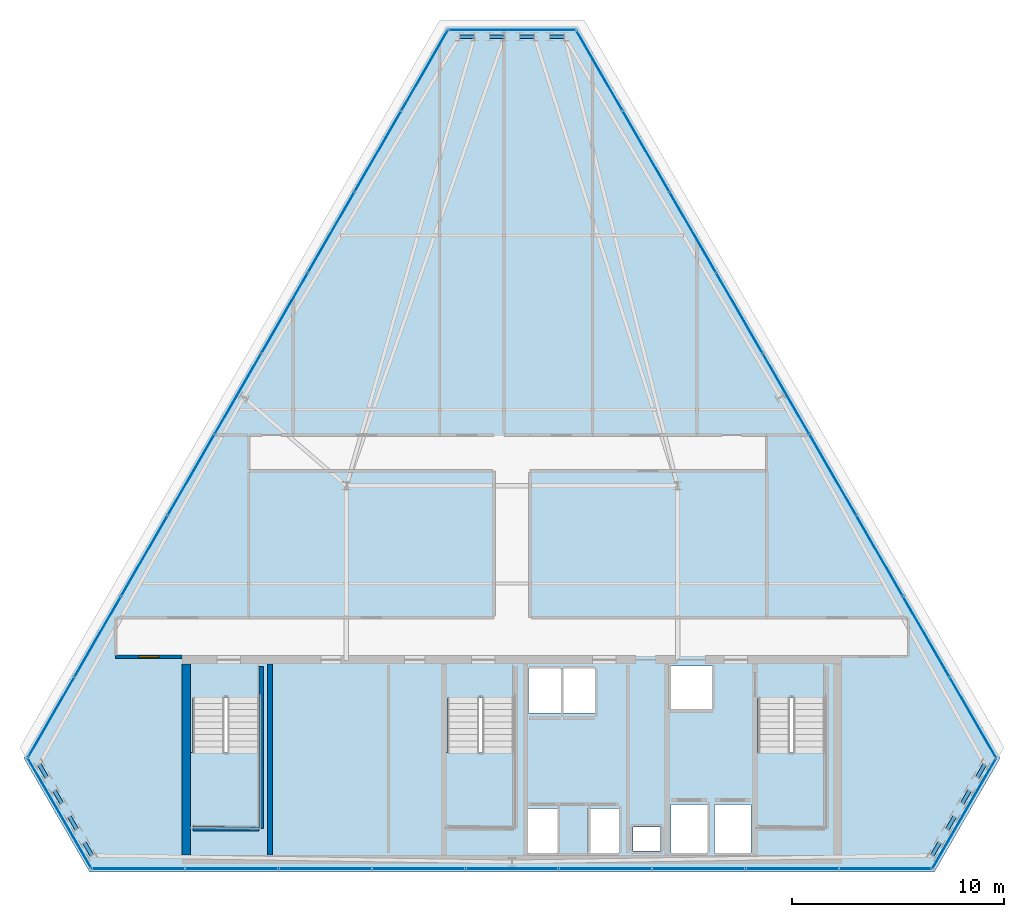
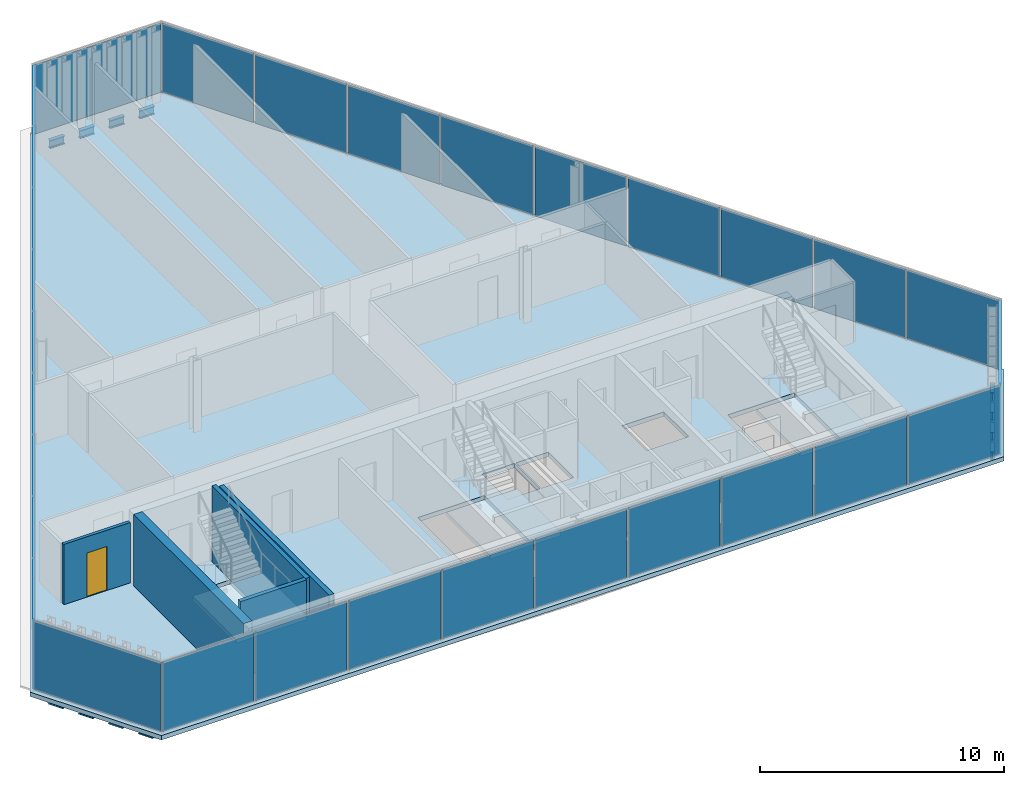
# One storey, part 26 of 32: 30 plates, 12 beams, 5 walls, 4 slabs, 1 door, 1 opening, 9 elements without a shape of their own.
"""IFC4 building model written with IfcOpenShell, lengths in metres."""

from ifc_helpers import new_model, si_unit, direction, frame, frame_2d, origin, origin_2d, place, context, subcontext, project, spatial, polyline, rectangle, i_section, outline, extrude, material, layer, layer_set, material_profile, profile_set, type_object, element, fill, aggregate, save


model = new_model("IFC4")

# Units and contexts
model_context = context("Model", 3, precision=1e-05, world=origin(), true_north=direction((0.0, 1.0)))
body_context = subcontext(model_context, "Body", "Model", "MODEL_VIEW")
ifc_project = project(units=[si_unit("LENGTHUNIT", "METRE"), si_unit("AREAUNIT", "SQUARE_METRE"), si_unit("VOLUMEUNIT", "CUBIC_METRE"), si_unit("PLANEANGLEUNIT", "RADIAN"), si_unit("MASSUNIT", "GRAM", prefix="KILO")], contexts=[model_context])

# Site, building, storey
site_placement = place(None, origin())
site = spatial("IfcSite", under=ifc_project, at=site_placement, CompositionType="ELEMENT")
building_placement = place(site_placement, origin())
building = spatial("IfcBuilding", under=site, at=building_placement, Name="Ndaravel Arena Tower", CompositionType="ELEMENT")
storey_placement = place(building_placement, frame((0.0, 0.0, 252.199951171875)))
storey = spatial("IfcBuildingStorey", under=building, at=storey_placement, Name="L61", CompositionType="ELEMENT", Elevation=252.199951171875)

# Beams
ifc_material_1 = material(Name="Steel S355", Category="steel")
ifc_material_profile = material_profile(ifc_material_1, i_section(OverallWidth=0.179931640625, OverallDepth=0.39990234375, WebThickness=0.008544921875, FlangeThickness=0.013427734375, FilletRadius=0.02099609375, at=origin_2d()), Name="IPE 400")
ifc_profile_set = profile_set([ifc_material_profile], Name="Steel S355")
beam_type = type_object("IfcBeamType", Name="BM-SPAN-IPE400", PredefinedType="SPANDREL", material=ifc_profile_set)
for number, where, z_axis, x_axis, name in (
    (1, (61.794921875, 5.7861328125, -0.419921875), (0.500110831701, 0.865961405616, 0.0), (-0.865961405616, 0.500110831701, 0.0), "L61 Perimeter Spandrel Beam SP-02"),
    (2, (62.502197265625, 7.01123046875, -0.419921875), (0.499851946404, 0.866110865696, 0.0), (-0.866110865696, 0.499851946404, 0.0), "L61 Perimeter Spandrel Beam SP-04"),
    (3, (63.20947265625, 8.236083984375, -0.419921875), (0.499851946404, 0.866110865696, 0.0), (-0.866110865696, 0.499851946404, 0.0), "L61 Perimeter Spandrel Beam SP-06"),
):
    element("IfcBeam", number, at=place(storey_placement, frame(where, z_axis=z_axis, x_axis=x_axis)), inside=storey, type_object=beam_type, Name=name, PredefinedType="SPANDREL", context=body_context, shape_type="SweptSolid", body=[
        extrude(i_section(OverallWidth=0.179931640625, OverallDepth=0.39990234375, WebThickness=0.008544921875, FlangeThickness=0.013427734375, FilletRadius=0.02099609375, at=origin_2d()), origin(), (0.0, 0.0, 1.0), 0.707275390625),
    ])
beam_1_placement = place(storey_placement, frame((63.916748046875, 9.461181640625, -0.419921875), z_axis=(0.500001430823, 0.866024577697, 0.0), x_axis=(-0.866024577697, 0.500001430823, 0.0)))
element("IfcBeam", 4, at=beam_1_placement, inside=storey, type_object=beam_type, Name="L61 Perimeter Spandrel Beam SP-08", PredefinedType="SPANDREL", context=body_context, shape_type="SweptSolid", body=[
    extrude(i_section(OverallWidth=0.179931640625, OverallDepth=0.39990234375, WebThickness=0.008544921875, FlangeThickness=0.013427734375, FilletRadius=0.02099609375, at=origin_2d()), origin(), (0.0, 0.0, 1.0), 0.70703125),
])
for number, where, z_axis, x_axis, name in (
    (5, (44.475341796875, 44.359619140625, -0.419921875), (-1.0, 0.0, 0.0), (0.0, -1.0, 0.0), "L61 Perimeter Spandrel Beam SP-11"),
    (6, (43.060791015625, 44.359619140625, -0.419921875), (-1.0, 0.0, 0.0), (0.0, -1.0, 0.0), "L61 Perimeter Spandrel Beam SP-13"),
    (7, (41.646484375, 44.359619140625, -0.419921875), (-1.0, 0.0, 0.0), (0.0, -1.0, 0.0), "L61 Perimeter Spandrel Beam SP-15"),
    (8, (40.23193359375, 44.359619140625, -0.419921875), (-1.0, 0.0, 0.0), (0.0, -1.0, 0.0), "L61 Perimeter Spandrel Beam SP-17"),
):
    element("IfcBeam", number, at=place(storey_placement, frame(where, z_axis=z_axis, x_axis=x_axis)), inside=storey, type_object=beam_type, Name=name, PredefinedType="SPANDREL", context=body_context, shape_type="SweptSolid", body=[
        extrude(i_section(OverallWidth=0.179931640625, OverallDepth=0.39990234375, WebThickness=0.008544921875, FlangeThickness=0.013427734375, FilletRadius=0.02099609375, at=origin_2d()), origin(), (0.0, 0.0, 1.0), 0.707275390625),
    ])
beam_2_placement = place(storey_placement, frame((19.729736328125, 10.073486328125, -0.419921875), z_axis=(0.500001430823, -0.866024577697, 0.0), x_axis=(0.866024577697, 0.500001430823, 0.0)))
element("IfcBeam", 9, at=beam_2_placement, inside=storey, type_object=beam_type, Name="L61 Perimeter Spandrel Beam SP-20", PredefinedType="SPANDREL", context=body_context, shape_type="SweptSolid", body=[
    extrude(i_section(OverallWidth=0.179931640625, OverallDepth=0.39990234375, WebThickness=0.008544921875, FlangeThickness=0.013427734375, FilletRadius=0.02099609375, at=origin_2d()), origin(), (0.0, 0.0, 1.0), 0.70703125),
])
for number, where, z_axis, x_axis, name in (
    (10, (20.43701171875, 8.8486328125, -0.419921875), (0.499851946404, -0.866110865696, 0.0), (0.866110865696, 0.499851946404, 0.0), "L61 Perimeter Spandrel Beam SP-22"),
    (11, (21.144287109375, 7.623779296875, -0.419921875), (0.499851946404, -0.866110865696, 0.0), (0.866110865696, 0.499851946404, 0.0), "L61 Perimeter Spandrel Beam SP-24"),
    (12, (21.851318359375, 6.398681640625, -0.419921875), (0.500110831701, -0.865961405616, 0.0), (0.865961405616, 0.500110831701, 0.0), "L61 Perimeter Spandrel Beam SP-26"),
):
    element("IfcBeam", number, at=place(storey_placement, frame(where, z_axis=z_axis, x_axis=x_axis)), inside=storey, type_object=beam_type, Name=name, PredefinedType="SPANDREL", context=body_context, shape_type="SweptSolid", body=[
        extrude(i_section(OverallWidth=0.179931640625, OverallDepth=0.39990234375, WebThickness=0.008544921875, FlangeThickness=0.013427734375, FilletRadius=0.02099609375, at=origin_2d()), origin(), (0.0, 0.0, 1.0), 0.707275390625),
    ])

# Curtain wall, plate
ifc_material_2 = material(Name="Aluminium", Category="aluminium")
ifc_layer_1 = layer(ifc_material_2, 0.179931640625)
ifc_layer_set_1 = layer_set([ifc_layer_1], Name="Aluminium")
curtain_wall_type_1 = type_object("IfcCurtainWallType", Name="CW-SYS-01", PredefinedType="NOTDEFINED", material=ifc_layer_set_1)
curtain_wall_1_placement = place(storey_placement, origin())
curtain_wall_1 = element("IfcCurtainWall", 13, at=curtain_wall_1_placement, inside=storey, type_object=curtain_wall_type_1, Name="L61 Faceted Crystal Curtain Wall CW-L61-E02", PredefinedType="NOTDEFINED")
ifc_material_3 = material(Name="Glazing", Category="glass")
ifc_layer_2 = layer(ifc_material_3, 0.031982421875)
ifc_layer_set_2 = layer_set([ifc_layer_2], Name="Glazing")
plate_type_1 = type_object("IfcPlateType", Name="PLT-GLZ-FRIT35", PredefinedType="CURTAIN_PANEL", material=ifc_layer_set_2)
plate_1_placement = place(storey_placement, frame((63.309814453125, 7.77001953125, 0.06005859375), z_axis=(0.0, 0.0, 1.0), x_axis=(0.5, 0.866025403784, 0.0)))
plate_1 = element("IfcPlate", 14, at=plate_1_placement, type_object=plate_type_1, Name="CW-L61-E02 Vision Glass Panel 01", PredefinedType="CURTAIN_PANEL", context=body_context, shape_type="SweptSolid", body=[
    extrude(rectangle(XDim=5.947265625, YDim=0.035888671875, at=origin_2d()), origin(), (0.0, 0.0, 1.0), 3.4599609375),
])
aggregate(curtain_wall_1, [plate_1])

curtain_wall_2_placement = place(storey_placement, origin())
curtain_wall_2 = element("IfcCurtainWall", 15, at=curtain_wall_2_placement, inside=storey, type_object=curtain_wall_type_1, Name="L61 Faceted Crystal Curtain Wall CW-L61-E04", PredefinedType="NOTDEFINED")
plate_2_placement = place(storey_placement, frame((42.0, 44.679443359375, 0.06005859375), z_axis=(0.0, 0.0, 1.0), x_axis=(-1.0, 0.0, 0.0)))
plate_2 = element("IfcPlate", 16, at=plate_2_placement, type_object=plate_type_1, Name="CW-L61-E04 Vision Glass Panel 01", PredefinedType="CURTAIN_PANEL", context=body_context, shape_type="SweptSolid", body=[
    extrude(rectangle(XDim=5.947509765625, YDim=0.035888671875, at=origin_2d()), origin(), (0.0, 0.0, 1.0), 3.4599609375),
])
aggregate(curtain_wall_2, [plate_2])

ifc_material_4 = material(Name="Aluminium", Category="aluminium")
ifc_layer_3 = layer(ifc_material_4, 0.179931640625)
ifc_layer_set_3 = layer_set([ifc_layer_3], Name="Aluminium")
curtain_wall_type_2 = type_object("IfcCurtainWallType", Name="CW-SYS-02", PredefinedType="NOTDEFINED", material=ifc_layer_set_3)
curtain_wall_3_placement = place(storey_placement, origin())
curtain_wall_3 = element("IfcCurtainWall", 17, at=curtain_wall_3_placement, inside=storey, type_object=curtain_wall_type_2, Name="L61 Faceted Crystal Curtain Wall CW-L61-E06", PredefinedType="NOTDEFINED")
ifc_material_5 = material(Name="Glazing", Category="glass")
ifc_layer_4 = layer(ifc_material_5, 0.035888671875)
ifc_layer_set_4 = layer_set([ifc_layer_4], Name="Glazing")
plate_type_2 = type_object("IfcPlateType", Name="PLT-GLZ-FRIT55", PredefinedType="CURTAIN_PANEL", material=ifc_layer_set_4)
plate_3_placement = place(storey_placement, frame((20.690185546875, 7.77001953125, 0.06005859375), z_axis=(0.0, 0.0, 1.0), x_axis=(0.5, -0.866025403784, 0.0)))
plate_3 = element("IfcPlate", 18, at=plate_3_placement, type_object=plate_type_2, Name="CW-L61-E06 Vision Glass Panel 01", PredefinedType="CURTAIN_PANEL", context=body_context, shape_type="SweptSolid", body=[
    extrude(rectangle(XDim=5.947265625, YDim=0.035888671875, at=origin_2d()), origin(), (0.0, 0.0, 1.0), 3.4599609375),
])
aggregate(curtain_wall_3, [plate_3])

# Curtain wall, plates
ifc_material_6 = material(Name="Aluminium", Category="aluminium")
ifc_layer_5 = layer(ifc_material_6, 0.179931640625)
ifc_layer_set_5 = layer_set([ifc_layer_5], Name="Aluminium")
curtain_wall_type_3 = type_object("IfcCurtainWallType", Name="CW-SYS-03", PredefinedType="NOTDEFINED", material=ifc_layer_set_5)
curtain_wall_4_placement = place(storey_placement, origin())
curtain_wall_4 = element("IfcCurtainWall", 19, at=curtain_wall_4_placement, inside=storey, type_object=curtain_wall_type_3, Name="L61 Faceted Crystal Curtain Wall CW-L61-E01", PredefinedType="NOTDEFINED")
ifc_material_7 = material(Name="Glazing", Category="glass")
ifc_layer_6 = layer(ifc_material_7, 0.0400390625)
ifc_layer_set_6 = layer_set([ifc_layer_6], Name="Glazing")
plate_type_3 = type_object("IfcPlateType", Name="PLT-GLZ-LOWIRON", PredefinedType="CURTAIN_PANEL", material=ifc_layer_set_6)
plate_4_placement = place(storey_placement, frame((24.3974609375, 5.159912109375, 0.06005859375), z_axis=(0.0, 0.0, 1.0), x_axis=(1.0, 0.0, 0.0)))
plate_4 = element("IfcPlate", 20, at=plate_4_placement, type_object=plate_type_3, Name="CW-L61-E01 Vision Glass Panel 01", PredefinedType="CURTAIN_PANEL", context=body_context, shape_type="SweptSolid", body=[
    extrude(rectangle(XDim=4.320556640625, YDim=0.035888671875, at=origin_2d()), origin(), (0.0, 0.0, 1.0), 3.4599609375),
])
plate_5_placement = place(storey_placement, frame((28.798095703125, 5.159912109375, 0.06005859375), z_axis=(0.0, 0.0, 1.0), x_axis=(1.0, 0.0, 0.0)))
plate_5 = element("IfcPlate", 21, at=plate_5_placement, type_object=plate_type_3, Name="CW-L61-E01 Vision Glass Panel 02", PredefinedType="CURTAIN_PANEL", context=body_context, shape_type="SweptSolid", body=[
    extrude(rectangle(XDim=4.320556640625, YDim=0.035888671875, at=origin_2d()), origin(), (0.0, 0.0, 1.0), 3.4599609375),
])
plate_6_placement = place(storey_placement, frame((33.19873046875, 5.159912109375, 0.06005859375), z_axis=(0.0, 0.0, 1.0), x_axis=(1.0, 0.0, 0.0)))
plate_6 = element("IfcPlate", 22, at=plate_6_placement, type_object=plate_type_3, Name="CW-L61-E01 Vision Glass Panel 03", PredefinedType="CURTAIN_PANEL", context=body_context, shape_type="SweptSolid", body=[
    extrude(rectangle(XDim=4.320556640625, YDim=0.035888671875, at=origin_2d()), origin(), (0.0, 0.0, 1.0), 3.4599609375),
])
plate_7_placement = place(storey_placement, frame((37.599365234375, 5.159912109375, 0.06005859375), z_axis=(0.0, 0.0, 1.0), x_axis=(1.0, 0.0, 0.0)))
plate_7 = element("IfcPlate", 23, at=plate_7_placement, type_object=plate_type_3, Name="CW-L61-E01 Vision Glass Panel 04", PredefinedType="CURTAIN_PANEL", context=body_context, shape_type="SweptSolid", body=[
    extrude(rectangle(XDim=4.320556640625, YDim=0.035888671875, at=origin_2d()), origin(), (0.0, 0.0, 1.0), 3.4599609375),
])
plate_8_placement = place(storey_placement, frame((42.0, 5.159912109375, 0.06005859375), z_axis=(0.0, 0.0, 1.0), x_axis=(1.0, 0.0, 0.0)))
plate_8 = element("IfcPlate", 24, at=plate_8_placement, type_object=plate_type_3, Name="CW-L61-E01 Vision Glass Panel 05", PredefinedType="CURTAIN_PANEL", context=body_context, shape_type="SweptSolid", body=[
    extrude(rectangle(XDim=4.320556640625, YDim=0.035888671875, at=origin_2d()), origin(), (0.0, 0.0, 1.0), 3.4599609375),
])
plate_9_placement = place(storey_placement, frame((46.400634765625, 5.159912109375, 0.06005859375), z_axis=(0.0, 0.0, 1.0), x_axis=(1.0, 0.0, 0.0)))
plate_9 = element("IfcPlate", 25, at=plate_9_placement, type_object=plate_type_3, Name="CW-L61-E01 Vision Glass Panel 06", PredefinedType="CURTAIN_PANEL", context=body_context, shape_type="SweptSolid", body=[
    extrude(rectangle(XDim=4.320556640625, YDim=0.035888671875, at=origin_2d()), origin(), (0.0, 0.0, 1.0), 3.4599609375),
])
plate_10_placement = place(storey_placement, frame((50.80126953125, 5.159912109375, 0.06005859375), z_axis=(0.0, 0.0, 1.0), x_axis=(1.0, 0.0, 0.0)))
plate_10 = element("IfcPlate", 26, at=plate_10_placement, type_object=plate_type_3, Name="CW-L61-E01 Vision Glass Panel 07", PredefinedType="CURTAIN_PANEL", context=body_context, shape_type="SweptSolid", body=[
    extrude(rectangle(XDim=4.320556640625, YDim=0.035888671875, at=origin_2d()), origin(), (0.0, 0.0, 1.0), 3.4599609375),
])
plate_11_placement = place(storey_placement, frame((55.201904296875, 5.159912109375, 0.06005859375), z_axis=(0.0, 0.0, 1.0), x_axis=(1.0, 0.0, 0.0)))
plate_11 = element("IfcPlate", 27, at=plate_11_placement, type_object=plate_type_3, Name="CW-L61-E01 Vision Glass Panel 08", PredefinedType="CURTAIN_PANEL", context=body_context, shape_type="SweptSolid", body=[
    extrude(rectangle(XDim=4.320556640625, YDim=0.035888671875, at=origin_2d()), origin(), (0.0, 0.0, 1.0), 3.4599609375),
])
plate_12_placement = place(storey_placement, frame((59.6025390625, 5.159912109375, 0.06005859375), z_axis=(0.0, 0.0, 1.0), x_axis=(1.0, 0.0, 0.0)))
plate_12 = element("IfcPlate", 28, at=plate_12_placement, type_object=plate_type_3, Name="CW-L61-E01 Vision Glass Panel 09", PredefinedType="CURTAIN_PANEL", context=body_context, shape_type="SweptSolid", body=[
    extrude(rectangle(XDim=4.320556640625, YDim=0.035888671875, at=origin_2d()), origin(), (0.0, 0.0, 1.0), 3.4599609375),
])
aggregate(curtain_wall_4, [plate_4, plate_5, plate_6, plate_7, plate_8, plate_9, plate_10, plate_11, plate_12])

curtain_wall_5_placement = place(storey_placement, origin())
curtain_wall_5 = element("IfcCurtainWall", 29, at=curtain_wall_5_placement, inside=storey, type_object=curtain_wall_type_3, Name="L61 Faceted Crystal Curtain Wall CW-L61-E03", PredefinedType="NOTDEFINED")
plate_13_placement = place(storey_placement, frame((63.71630859375, 12.285400390625, 0.06005859375), z_axis=(0.0, 0.0, 1.0), x_axis=(-0.5, 0.866025403784, 0.0)))
plate_13 = element("IfcPlate", 30, at=plate_13_placement, type_object=plate_type_3, Name="CW-L61-E03 Vision Glass Panel 01", PredefinedType="CURTAIN_PANEL", context=body_context, shape_type="SweptSolid", body=[
    extrude(rectangle(XDim=4.32080078125, YDim=0.035888671875, at=origin_2d()), origin(), (0.0, 0.0, 1.0), 3.4599609375),
])
plate_14_placement = place(storey_placement, frame((61.51611328125, 16.096435546875, 0.06005859375), z_axis=(0.0, 0.0, 1.0), x_axis=(-0.5, 0.866025403784, 0.0)))
plate_14 = element("IfcPlate", 31, at=plate_14_placement, type_object=plate_type_3, Name="CW-L61-E03 Vision Glass Panel 02", PredefinedType="CURTAIN_PANEL", context=body_context, shape_type="SweptSolid", body=[
    extrude(rectangle(XDim=4.32080078125, YDim=0.035888671875, at=origin_2d()), origin(), (0.0, 0.0, 1.0), 3.4599609375),
])
plate_15_placement = place(storey_placement, frame((59.31591796875, 19.907470703125, 0.06005859375), z_axis=(0.0, 0.0, 1.0), x_axis=(-0.5, 0.866025403784, 0.0)))
plate_15 = element("IfcPlate", 32, at=plate_15_placement, type_object=plate_type_3, Name="CW-L61-E03 Vision Glass Panel 03", PredefinedType="CURTAIN_PANEL", context=body_context, shape_type="SweptSolid", body=[
    extrude(rectangle(XDim=4.32080078125, YDim=0.035888671875, at=origin_2d()), origin(), (0.0, 0.0, 1.0), 3.4599609375),
])
plate_16_placement = place(storey_placement, frame((57.115478515625, 23.718505859375, 0.06005859375), z_axis=(0.0, 0.0, 1.0), x_axis=(-0.5, 0.866025403784, 0.0)))
plate_16 = element("IfcPlate", 33, at=plate_16_placement, type_object=plate_type_3, Name="CW-L61-E03 Vision Glass Panel 04", PredefinedType="CURTAIN_PANEL", context=body_context, shape_type="SweptSolid", body=[
    extrude(rectangle(XDim=4.32080078125, YDim=0.035888671875, at=origin_2d()), origin(), (0.0, 0.0, 1.0), 3.4599609375),
])
plate_17_placement = place(storey_placement, frame((54.9150390625, 27.52978515625, 0.06005859375), z_axis=(0.0, 0.0, 1.0), x_axis=(-0.5, 0.866025403784, 0.0)))
plate_17 = element("IfcPlate", 34, at=plate_17_placement, type_object=plate_type_3, Name="CW-L61-E03 Vision Glass Panel 05", PredefinedType="CURTAIN_PANEL", context=body_context, shape_type="SweptSolid", body=[
    extrude(rectangle(XDim=4.32080078125, YDim=0.035888671875, at=origin_2d()), origin(), (0.0, 0.0, 1.0), 3.4599609375),
])
plate_18_placement = place(storey_placement, frame((52.71484375, 31.3408203125, 0.06005859375), z_axis=(0.0, 0.0, 1.0), x_axis=(-0.5, 0.866025403784, 0.0)))
plate_18 = element("IfcPlate", 35, at=plate_18_placement, type_object=plate_type_3, Name="CW-L61-E03 Vision Glass Panel 06", PredefinedType="CURTAIN_PANEL", context=body_context, shape_type="SweptSolid", body=[
    extrude(rectangle(XDim=4.32080078125, YDim=0.035888671875, at=origin_2d()), origin(), (0.0, 0.0, 1.0), 3.4599609375),
])
plate_19_placement = place(storey_placement, frame((50.514404296875, 35.15185546875, 0.06005859375), z_axis=(0.0, 0.0, 1.0), x_axis=(-0.5, 0.866025403784, 0.0)))
plate_19 = element("IfcPlate", 36, at=plate_19_placement, type_object=plate_type_3, Name="CW-L61-E03 Vision Glass Panel 07", PredefinedType="CURTAIN_PANEL", context=body_context, shape_type="SweptSolid", body=[
    extrude(rectangle(XDim=4.32080078125, YDim=0.035888671875, at=origin_2d()), origin(), (0.0, 0.0, 1.0), 3.4599609375),
])
plate_20_placement = place(storey_placement, frame((48.314208984375, 38.962890625, 0.06005859375), z_axis=(0.0, 0.0, 1.0), x_axis=(-0.5, 0.866025403784, 0.0)))
plate_20 = element("IfcPlate", 37, at=plate_20_placement, type_object=plate_type_3, Name="CW-L61-E03 Vision Glass Panel 08", PredefinedType="CURTAIN_PANEL", context=body_context, shape_type="SweptSolid", body=[
    extrude(rectangle(XDim=4.32080078125, YDim=0.035888671875, at=origin_2d()), origin(), (0.0, 0.0, 1.0), 3.4599609375),
])
plate_21_placement = place(storey_placement, frame((46.114013671875, 42.77392578125, 0.06005859375), z_axis=(0.0, 0.0, 1.0), x_axis=(-0.5, 0.866025403784, 0.0)))
plate_21 = element("IfcPlate", 38, at=plate_21_placement, type_object=plate_type_3, Name="CW-L61-E03 Vision Glass Panel 09", PredefinedType="CURTAIN_PANEL", context=body_context, shape_type="SweptSolid", body=[
    extrude(rectangle(XDim=4.32080078125, YDim=0.035888671875, at=origin_2d()), origin(), (0.0, 0.0, 1.0), 3.4599609375),
])
aggregate(curtain_wall_5, [plate_13, plate_14, plate_15, plate_16, plate_17, plate_18, plate_19, plate_20, plate_21])

curtain_wall_6_placement = place(storey_placement, origin())
curtain_wall_6 = element("IfcCurtainWall", 39, at=curtain_wall_6_placement, inside=storey, type_object=curtain_wall_type_3, Name="L61 Faceted Crystal Curtain Wall CW-L61-E05", PredefinedType="NOTDEFINED")
plate_22_placement = place(storey_placement, frame((37.885986328125, 42.77392578125, 0.06005859375), z_axis=(0.0, 0.0, 1.0), x_axis=(-0.5, -0.866025403784, 0.0)))
plate_22 = element("IfcPlate", 40, at=plate_22_placement, type_object=plate_type_3, Name="CW-L61-E05 Vision Glass Panel 01", PredefinedType="CURTAIN_PANEL", context=body_context, shape_type="SweptSolid", body=[
    extrude(rectangle(XDim=4.32080078125, YDim=0.035888671875, at=origin_2d()), origin(), (0.0, 0.0, 1.0), 3.4599609375),
])
plate_23_placement = place(storey_placement, frame((35.685791015625, 38.962890625, 0.06005859375), z_axis=(0.0, 0.0, 1.0), x_axis=(-0.5, -0.866025403784, 0.0)))
plate_23 = element("IfcPlate", 41, at=plate_23_placement, type_object=plate_type_3, Name="CW-L61-E05 Vision Glass Panel 02", PredefinedType="CURTAIN_PANEL", context=body_context, shape_type="SweptSolid", body=[
    extrude(rectangle(XDim=4.32080078125, YDim=0.035888671875, at=origin_2d()), origin(), (0.0, 0.0, 1.0), 3.4599609375),
])
plate_24_placement = place(storey_placement, frame((33.485595703125, 35.15185546875, 0.06005859375), z_axis=(0.0, 0.0, 1.0), x_axis=(-0.5, -0.866025403784, 0.0)))
plate_24 = element("IfcPlate", 42, at=plate_24_placement, type_object=plate_type_3, Name="CW-L61-E05 Vision Glass Panel 03", PredefinedType="CURTAIN_PANEL", context=body_context, shape_type="SweptSolid", body=[
    extrude(rectangle(XDim=4.32080078125, YDim=0.035888671875, at=origin_2d()), origin(), (0.0, 0.0, 1.0), 3.4599609375),
])
plate_25_placement = place(storey_placement, frame((31.28515625, 31.3408203125, 0.06005859375), z_axis=(0.0, 0.0, 1.0), x_axis=(-0.5, -0.866025403784, 0.0)))
plate_25 = element("IfcPlate", 43, at=plate_25_placement, type_object=plate_type_3, Name="CW-L61-E05 Vision Glass Panel 04", PredefinedType="CURTAIN_PANEL", context=body_context, shape_type="SweptSolid", body=[
    extrude(rectangle(XDim=4.32080078125, YDim=0.035888671875, at=origin_2d()), origin(), (0.0, 0.0, 1.0), 3.4599609375),
])
plate_26_placement = place(storey_placement, frame((29.084716796875, 27.529541015625, 0.06005859375), z_axis=(0.0, 0.0, 1.0), x_axis=(-0.5, -0.866025403784, 0.0)))
plate_26 = element("IfcPlate", 44, at=plate_26_placement, type_object=plate_type_3, Name="CW-L61-E05 Vision Glass Panel 05", PredefinedType="CURTAIN_PANEL", context=body_context, shape_type="SweptSolid", body=[
    extrude(rectangle(XDim=4.32080078125, YDim=0.035888671875, at=origin_2d()), origin(), (0.0, 0.0, 1.0), 3.4599609375),
])
plate_27_placement = place(storey_placement, frame((26.884521484375, 23.718505859375, 0.06005859375), z_axis=(0.0, 0.0, 1.0), x_axis=(-0.5, -0.866025403784, 0.0)))
plate_27 = element("IfcPlate", 45, at=plate_27_placement, type_object=plate_type_3, Name="CW-L61-E05 Vision Glass Panel 06", PredefinedType="CURTAIN_PANEL", context=body_context, shape_type="SweptSolid", body=[
    extrude(rectangle(XDim=4.32080078125, YDim=0.035888671875, at=origin_2d()), origin(), (0.0, 0.0, 1.0), 3.4599609375),
])
plate_28_placement = place(storey_placement, frame((24.68408203125, 19.907470703125, 0.06005859375), z_axis=(0.0, 0.0, 1.0), x_axis=(-0.5, -0.866025403784, 0.0)))
plate_28 = element("IfcPlate", 46, at=plate_28_placement, type_object=plate_type_3, Name="CW-L61-E05 Vision Glass Panel 07", PredefinedType="CURTAIN_PANEL", context=body_context, shape_type="SweptSolid", body=[
    extrude(rectangle(XDim=4.32080078125, YDim=0.035888671875, at=origin_2d()), origin(), (0.0, 0.0, 1.0), 3.4599609375),
])
plate_29_placement = place(storey_placement, frame((22.48388671875, 16.096435546875, 0.06005859375), z_axis=(0.0, 0.0, 1.0), x_axis=(-0.5, -0.866025403784, 0.0)))
plate_29 = element("IfcPlate", 47, at=plate_29_placement, type_object=plate_type_3, Name="CW-L61-E05 Vision Glass Panel 08", PredefinedType="CURTAIN_PANEL", context=body_context, shape_type="SweptSolid", body=[
    extrude(rectangle(XDim=4.32080078125, YDim=0.035888671875, at=origin_2d()), origin(), (0.0, 0.0, 1.0), 3.4599609375),
])
plate_30_placement = place(storey_placement, frame((20.28369140625, 12.285400390625, 0.06005859375), z_axis=(0.0, 0.0, 1.0), x_axis=(-0.5, -0.866025403784, 0.0)))
plate_30 = element("IfcPlate", 48, at=plate_30_placement, type_object=plate_type_3, Name="CW-L61-E05 Vision Glass Panel 09", PredefinedType="CURTAIN_PANEL", context=body_context, shape_type="SweptSolid", body=[
    extrude(rectangle(XDim=4.32080078125, YDim=0.035888671875, at=origin_2d()), origin(), (0.0, 0.0, 1.0), 3.4599609375),
])
aggregate(curtain_wall_6, [plate_22, plate_23, plate_24, plate_25, plate_26, plate_27, plate_28, plate_29, plate_30])

# Stair, slab
ifc_material_8 = material(Name="Concrete C40/50", Category="concrete")
stair_type = type_object("IfcStairType", Name="STAIR-CORE-HT", PredefinedType="HALF_TURN_STAIR", material=ifc_material_8)
stair_1_placement = place(storey_placement, origin())
stair_1 = element("IfcStair", 49, at=stair_1_placement, inside=storey, type_object=stair_type, Name="L61 ST-1", PredefinedType="HALF_TURN_STAIR")
ifc_material_9 = material(Name="Concrete C40/50", Category="concrete")
ifc_layer_7 = layer(ifc_material_9, 0.199951171875)
ifc_layer_set_7 = layer_set([ifc_layer_7], Name="Concrete C40/50")
slab_type_1 = type_object("IfcSlabType", Name="SLAB-STAIR-LANDING", PredefinedType="LANDING", material=ifc_layer_set_7)
slab_1_placement = place(storey_placement, frame((0.0, 0.0, 1.699951171875)))
slab_1 = element("IfcSlab", 50, at=slab_1_placement, type_object=slab_type_1, Name="ST-1 landing 1", PredefinedType="LANDING", context=body_context, shape_type="SweptSolid", body=[
    extrude(outline(polyline([(26.81005859375, 10.6298828125), (26.81005859375, 7.070068359375), (30.169921875, 7.070068359375), (30.169921875, 10.6298828125), (26.81005859375, 10.6298828125)])), origin(), (0.0, 0.0, 1.0), 0.2001953125),
])
aggregate(stair_1, [slab_1])

stair_2_placement = place(storey_placement, origin())
stair_2 = element("IfcStair", 51, at=stair_2_placement, inside=storey, type_object=stair_type, Name="L61 ST-2", PredefinedType="HALF_TURN_STAIR")
slab_2_placement = place(storey_placement, frame((0.0, 0.0, 1.699951171875)))
slab_2 = element("IfcSlab", 52, at=slab_2_placement, type_object=slab_type_1, Name="ST-2 landing 1", PredefinedType="LANDING", context=body_context, shape_type="SweptSolid", body=[
    extrude(outline(polyline([(38.81005859375, 10.6298828125), (38.81005859375, 7.070068359375), (42.169921875, 7.070068359375), (42.169921875, 10.6298828125), (38.81005859375, 10.6298828125)])), origin(), (0.0, 0.0, 1.0), 0.2001953125),
])
aggregate(stair_2, [slab_2])

stair_3_placement = place(storey_placement, origin())
stair_3 = element("IfcStair", 53, at=stair_3_placement, inside=storey, type_object=stair_type, Name="L61 ST-3", PredefinedType="HALF_TURN_STAIR")
slab_3_placement = place(storey_placement, frame((0.0, 0.0, 1.699951171875)))
slab_3 = element("IfcSlab", 54, at=slab_3_placement, type_object=slab_type_1, Name="ST-3 landing 1", PredefinedType="LANDING", context=body_context, shape_type="SweptSolid", body=[
    extrude(outline(polyline([(53.4599609375, 10.6298828125), (53.4599609375, 7.070068359375), (56.820068359375, 7.070068359375), (56.820068359375, 10.6298828125), (53.4599609375, 10.6298828125)])), origin(), (0.0, 0.0, 1.0), 0.2001953125),
])
aggregate(stair_3, [slab_3])

# Slab
ifc_material_10 = material(Name="Concrete C40/50", Category="concrete")
ifc_layer_8 = layer(ifc_material_10, 0.219970703125)
ifc_layer_set_8 = layer_set([ifc_layer_8], Name="Concrete C40/50")
slab_type_2 = type_object("IfcSlabType", Name="SLAB-TWR-220", PredefinedType="FLOOR", material=ifc_layer_set_8)
slab_4_placement = place(storey_placement, frame((0.0, 0.0, -0.219970703125)))
element("IfcSlab", 55, at=slab_4_placement, inside=storey, type_object=slab_type_2, Name="L61 Structural Floor Slab", PredefinedType="FLOOR", context=body_context, shape_type="SweptSolid", body=[
    extrude(outline(polyline([(18.99853515625, 10.3798828125), (22.104736328125, 5.0), (61.895263671875, 5.0), (65.00146484375, 10.3798828125), (45.106201171875, 44.839599609375), (38.893798828125, 44.839599609375), (18.99853515625, 10.3798828125)]), holes=[polyline([(26.949951171875, 13.215087890625), (26.949951171875, 7.14990234375), (30.090087890625, 7.14990234375), (30.090087890625, 13.215087890625), (26.949951171875, 13.215087890625)]), polyline([(38.949951171875, 13.215087890625), (38.949951171875, 7.14990234375), (42.090087890625, 7.14990234375), (42.090087890625, 13.215087890625), (38.949951171875, 13.215087890625)]), polyline([(53.60009765625, 13.215087890625), (53.60009765625, 7.14990234375), (56.739990234375, 7.14990234375), (56.739990234375, 13.215087890625), (53.60009765625, 13.215087890625)]), polyline([(42.659912109375, 5.909912109375), (44.139892578125, 5.909912109375), (44.139892578125, 7.989990234375), (42.659912109375, 7.989990234375), (42.659912109375, 5.909912109375)]), polyline([(45.56005859375, 5.909912109375), (47.0400390625, 5.909912109375), (47.0400390625, 7.989990234375), (45.56005859375, 7.989990234375), (45.56005859375, 5.909912109375)]), polyline([(42.784912109375, 12.510009765625), (44.31494140625, 12.510009765625), (44.31494140625, 14.590087890625), (42.784912109375, 14.590087890625), (42.784912109375, 12.510009765625)]), polyline([(44.385009765625, 12.510009765625), (45.9150390625, 12.510009765625), (45.9150390625, 14.590087890625), (44.385009765625, 14.590087890625), (44.385009765625, 12.510009765625)]), polyline([(49.485107421875, 5.909912109375), (51.215087890625, 5.909912109375), (51.215087890625, 8.18994140625), (49.485107421875, 8.18994140625), (49.485107421875, 5.909912109375)]), polyline([(51.534912109375, 5.909912109375), (53.264892578125, 5.909912109375), (53.264892578125, 8.18994140625), (51.534912109375, 8.18994140625), (51.534912109375, 5.909912109375)]), polyline([(49.4599609375, 12.68505859375), (51.43994140625, 12.68505859375), (51.43994140625, 14.715087890625), (49.4599609375, 14.715087890625), (49.4599609375, 12.68505859375)]), polyline([(47.699951171875, 6.0), (49.0, 6.0), (49.0, 7.139892578125), (47.699951171875, 7.139892578125), (47.699951171875, 6.0)])]), origin(), (0.0, 0.0, 1.0), 0.219970703125),
])

# Walls
ifc_material_11 = material(Name="Concrete C50/60", Category="concrete")
ifc_layer_9 = layer(ifc_material_11, 0.219970703125)
ifc_layer_set_9 = layer_set([ifc_layer_9], Name="Concrete C50/60")
wall_type_1 = type_object("IfcWallType", Name="WALL-CORE-220", PredefinedType="SOLIDWALL", material=ifc_layer_set_9)
wall_1_placement = place(storey_placement, frame((30.60009765625, 5.800048828125, 0.0), z_axis=(0.0, 0.0, 1.0), x_axis=(0.0, 1.0, 0.0)))
element("IfcWall", 56, at=wall_1_placement, inside=storey, type_object=wall_type_1, Name="L61 Core Web Shear Wall 1", PredefinedType="SOLIDWALL", context=body_context, shape_type="SweptSolid", body=[
    extrude(rectangle(XDim=9.0, YDim=0.219970703125, at=frame_2d((4.5, 0.0))), origin(), (0.0, 0.0, 1.0), 3.580078125),
])
ifc_material_12 = material(Name="Concrete C50/60", Category="concrete")
ifc_layer_10 = layer(ifc_material_12, 0.39990234375)
ifc_layer_set_10 = layer_set([ifc_layer_10], Name="Concrete C50/60")
wall_type_2 = type_object("IfcWallType", Name="WALL-CORE-400", PredefinedType="SOLIDWALL", material=ifc_layer_set_10)
wall_2_placement = place(storey_placement, frame((26.64990234375, 5.800048828125, 0.0), z_axis=(0.0, 0.0, 1.0), x_axis=(0.0, 1.0, 0.0)))
element("IfcWall", 57, at=wall_2_placement, inside=storey, type_object=wall_type_2, Name="L61 Core West Shear Wall", PredefinedType="SOLIDWALL", context=body_context, shape_type="SweptSolid", body=[
    extrude(rectangle(XDim=9.0, YDim=0.39990234375, at=frame_2d((4.5, 0.0))), origin(), (0.0, 0.0, 1.0), 3.580078125),
])
ifc_material_13 = material(Name="Concrete C40/50", Category="concrete")
ifc_layer_11 = layer(ifc_material_13, 0.199951171875)
ifc_layer_set_11 = layer_set([ifc_layer_11], Name="Concrete C40/50")
wall_type_3 = type_object("IfcWallType", Name="WALL-SHAFT-200", PredefinedType="SOLIDWALL", material=ifc_layer_set_11)
wall_3_placement = place(storey_placement, frame((30.18994140625, 14.699951171875, 0.0), z_axis=(0.0, 0.0, 1.0), x_axis=(0.0, -1.0, 0.0)))
element("IfcWall", 58, at=wall_3_placement, inside=storey, type_object=wall_type_3, Name="L61 ST-1 Structural Shaft Wall Right", PredefinedType="SOLIDWALL", context=body_context, shape_type="SweptSolid", body=[
    extrude(rectangle(XDim=7.64990234375, YDim=0.199951171875, at=frame_2d((3.824951171875, 0.0))), origin(), (0.0, 0.0, 1.0), 3.800048828125),
])
wall_4_placement = place(storey_placement, frame((26.969970703125, 7.050048828125, 0.0), z_axis=(0.0, 0.0, 1.0), x_axis=(1.0, 0.0, 0.0)))
element("IfcWall", 59, at=wall_4_placement, inside=storey, type_object=wall_type_3, Name="L61 ST-1 Structural Shaft Wall Far", PredefinedType="SOLIDWALL", context=body_context, shape_type="SweptSolid", body=[
    extrude(rectangle(XDim=3.114990234375, YDim=0.199951171875, at=frame_2d((1.5576171875, 0.0))), origin(), (0.0, 0.0, 1.0), 3.800048828125),
])

# Wall, opening, door
ifc_material_14 = material(Name="Masonry", Category="masonry")
ifc_layer_12 = layer(ifc_material_14, 0.14990234375)
ifc_layer_set_12 = layer_set([ifc_layer_12], Name="Masonry")
wall_type_4 = type_object("IfcWallType", Name="WALL-WET-150", PredefinedType="PARTITIONING", material=ifc_layer_set_12)
wall_5_placement = place(storey_placement, frame((26.449951171875, 15.14990234375, 0.0), z_axis=(0.0, 0.0, 1.0), x_axis=(-1.0, 0.0, 0.0)))
wall_5 = element("IfcWall", 60, at=wall_5_placement, inside=storey, type_object=wall_type_4, Name="L61 Interior Partition 003", PredefinedType="PARTITIONING", context=body_context, shape_type="SweptSolid", body=[
    extrude(rectangle(XDim=3.135009765625, YDim=0.14990234375, at=frame_2d((1.5673828125, 0.0))), origin(), (0.0, 0.0, 1.0), 3.010498046875),
])
opening_placement = place(wall_5_placement, frame((1.092529296875, 0.0, 0.0)))
opening = element("IfcOpeningElement", 61, at=opening_placement, cuts=wall_5, Name="Opening FD-03", PredefinedType="OPENING", context=body_context, shape_type="SweptSolid", body=[
    extrude(rectangle(XDim=0.949951171875, YDim=2.199951171875, at=frame_2d((0.47509765625, 1.10009765625))), frame((0.0, 0.074951171875, 0.0), z_axis=(0.0, -1.0, 0.0), x_axis=(1.0, 0.0, 0.0)), (0.0, 0.0, 1.0), 0.14990234375),
])
ifc_material_15 = material(Name="Steel S355", Category="steel")
door_type = type_object("IfcDoorType", Name="DT-11-CORE-950", OperationType="SINGLE_SWING_LEFT", PredefinedType="DOOR", material=ifc_material_15)
door_placement = place(opening_placement, origin())
door = element("IfcDoor", 62, at=door_placement, inside=storey, type_object=door_type, Name="L61 Staff Espresso Kitchen Door", OperationType="SINGLE_SWING_RIGHT", OverallHeight=2.199951171875, OverallWidth=0.949951171875, PredefinedType="DOOR", context=body_context, shape_type="SweptSolid", body=[
    extrude(rectangle(XDim=0.949951171875, YDim=2.199951171875, at=frame_2d((0.47509765625, 1.10009765625))), frame((0.0, 0.02490234375, 0.0), z_axis=(0.0, -1.0, 0.0), x_axis=(1.0, 0.0, 0.0)), (0.0, 0.0, 1.0), 0.050048828125),
])
fill(opening, door)

save(model, "model.ifc")
